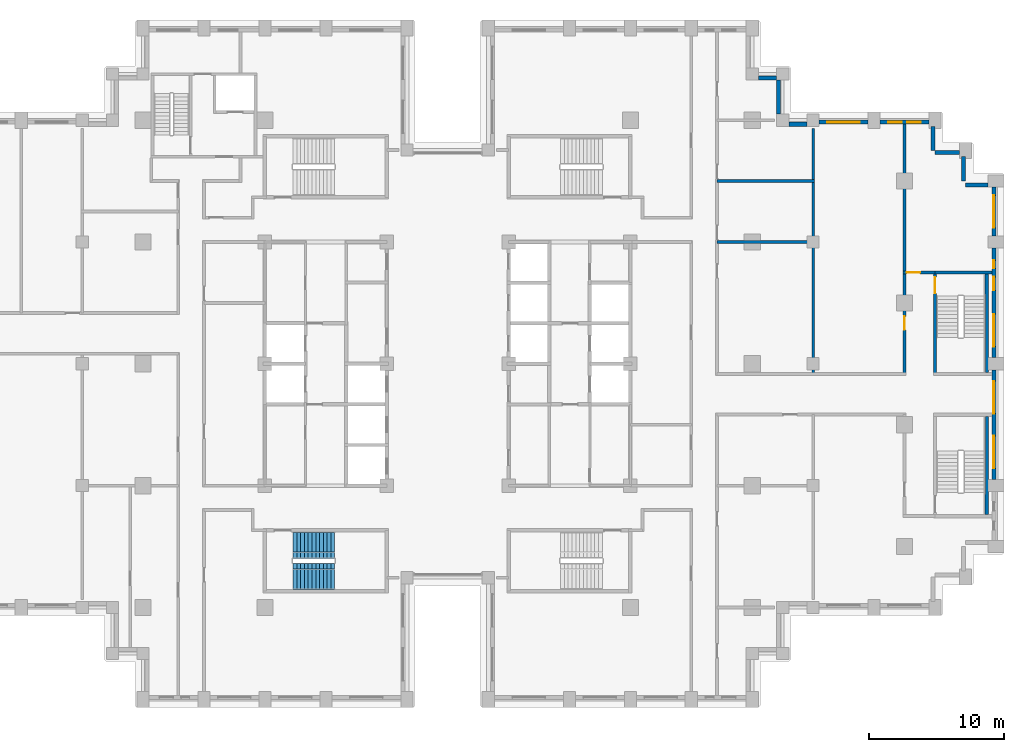
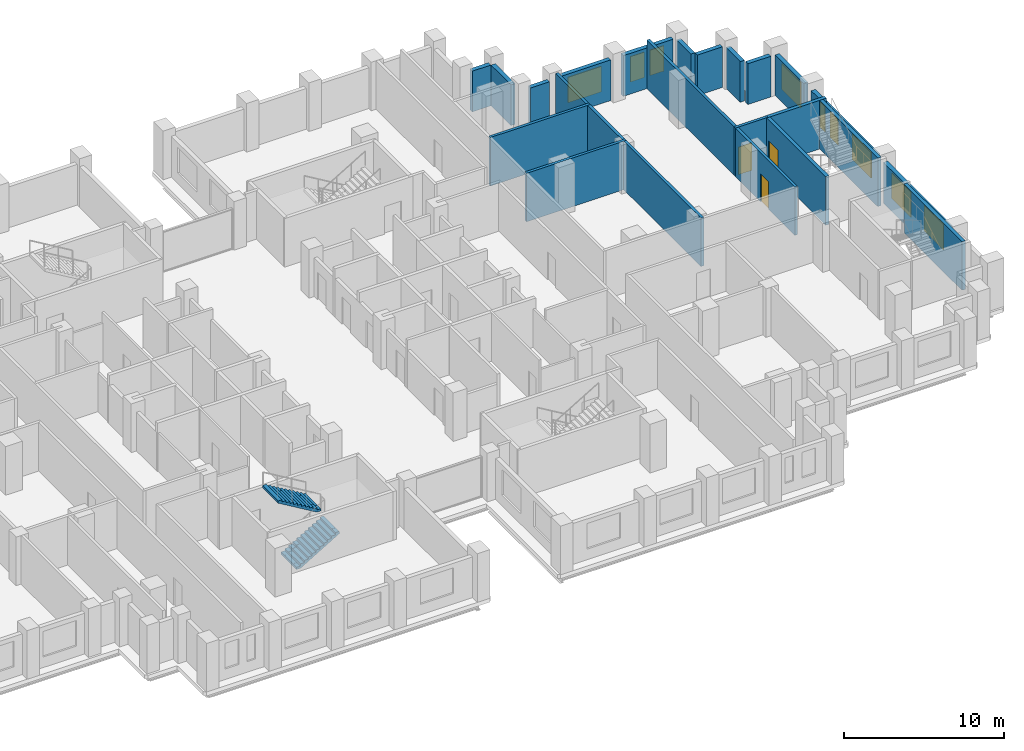
# One storey, part 12 of 15: 21 walls, 9 windows, 3 doors, 2 stair flights, 12 openings, 1 element without a shape of its own.
"""IFC4 building model written with IfcOpenShell, lengths in metres."""

from ifc_helpers import new_model, si_unit, direction, frame, frame_2d, origin, place, context, subcontext, project, spatial, polyline, rectangle, outline, extrude, material, layer, layer_set, type_object, element, fill, aggregate, save


model = new_model("IFC4")

# Units and contexts
model_context = context("Model", 3, precision=1e-05, world=origin(), true_north=direction((0.0, 1.0)))
body_context = subcontext(model_context, "Body", "Model", "MODEL_VIEW")
ifc_project = project(units=[si_unit("LENGTHUNIT", "METRE"), si_unit("AREAUNIT", "SQUARE_METRE"), si_unit("VOLUMEUNIT", "CUBIC_METRE"), si_unit("PLANEANGLEUNIT", "RADIAN"), si_unit("MASSUNIT", "GRAM", prefix="KILO")], contexts=[model_context])

# Site, building, storey
site_placement = place(None, origin())
site = spatial("IfcSite", under=ifc_project, at=site_placement, CompositionType="ELEMENT")
building_placement = place(site_placement, origin())
building = spatial("IfcBuilding", under=site, at=building_placement, Name="Corbelhall Arena Tower", CompositionType="ELEMENT")
storey_placement = place(building_placement, frame((0.0, 0.0, 92.0)))
storey = spatial("IfcBuildingStorey", under=building, at=storey_placement, Name="L15", CompositionType="ELEMENT", Elevation=92.0)

# Walls
ifc_material_1 = material(Name="Precast concrete C40/50 with granite facing", Category="masonry")
ifc_layer_1 = layer(ifc_material_1, 0.300048828125)
ifc_layer_set_1 = layer_set([ifc_layer_1], Name="EV-IW1 Infill panel 300")
wall_type_1 = type_object("IfcWallType", Name="EV-IW1 Infill panel 300", PredefinedType="SOLIDWALL", material=ifc_layer_set_1)
wall_1_placement = place(storey_placement, frame((39.89990234375, 13.199951171875, 0.0), z_axis=(0.0, 0.0, 1.0), x_axis=(-1.0, 0.0, 0.0)))
element("IfcWall", 1, at=wall_1_placement, inside=storey, type_object=wall_type_1, Name="Infill panel IW1", PredefinedType="SOLIDWALL", context=body_context, shape_type="SweptSolid", body=[
    extrude(rectangle(XDim=1.64990234375, YDim=0.300048828125, at=frame_2d((0.824951171875, 0.0))), origin(), (0.0, 0.0, 1.0), 3.10009765625),
])
for number, where, z_axis, x_axis, name in (
    (2, (38.10009765625, 15.300048828125, 0.0), (0.0, 0.0, 1.0), (0.0, -1.0, 0.0), "Infill panel IW1"),
    (3, (37.800048828125, 15.60009765625, 0.0), (0.0, 0.0, 1.0), (-1.0, 0.0, 0.0), "Infill panel IW1"),
    (4, (35.85009765625, 17.550048828125, 0.0), (0.0, 0.0, 1.0), (0.0, -1.0, 0.0), "Infill panel IW1"),
):
    element("IfcWall", number, at=place(storey_placement, frame(where, z_axis=z_axis, x_axis=x_axis)), inside=storey, type_object=wall_type_1, Name=name, PredefinedType="SOLIDWALL", context=body_context, shape_type="SweptSolid", body=[
        extrude(rectangle(XDim=1.800048828125, YDim=0.300048828125, at=frame_2d((0.89990234375, 0.0))), origin(), (0.0, 0.0, 1.0), 3.10009765625),
    ])

# Wall, openings, windows
wall_2_placement = place(storey_placement, frame((40.35009765625, -8.550048828125, 0.0), z_axis=(0.0, 0.0, 1.0), x_axis=(0.0, 1.0, 0.0)))
wall_2 = element("IfcWall", 5, at=wall_2_placement, inside=storey, type_object=wall_type_1, Name="Infill panel IW1", PredefinedType="SOLIDWALL", context=body_context, shape_type="SweptSolid", body=[
    extrude(rectangle(XDim=8.10009765625, YDim=0.300048828125, at=frame_2d((4.050048828125, 0.0))), origin(), (0.0, 0.0, 1.0), 3.10009765625),
])
opening_1_placement = place(wall_2_placement, frame((0.824951171875, 0.0, 0.800048828125)))
opening_1 = element("IfcOpeningElement", 6, at=opening_1_placement, cuts=wall_2, Name="Opening WN1", PredefinedType="OPENING", context=body_context, shape_type="SweptSolid", body=[
    extrude(rectangle(XDim=2.39990234375, YDim=1.949951171875, at=frame_2d((1.199951171875, 0.97509765625))), frame((0.0, 0.14990234375, 0.0), z_axis=(0.0, -1.0, 0.0), x_axis=(1.0, 0.0, 0.0)), (0.0, 0.0, 1.0), 0.300048828125),
])
opening_2_placement = place(wall_2_placement, frame((4.875, 0.0, 0.800048828125)))
opening_2 = element("IfcOpeningElement", 7, at=opening_2_placement, cuts=wall_2, Name="Opening WN1", PredefinedType="OPENING", context=body_context, shape_type="SweptSolid", body=[
    extrude(rectangle(XDim=2.39990234375, YDim=1.949951171875, at=frame_2d((1.199951171875, 0.97509765625))), frame((0.0, 0.14990234375, 0.0), z_axis=(0.0, -1.0, 0.0), x_axis=(1.0, 0.0, 0.0)), (0.0, 0.0, 1.0), 0.300048828125),
])
ifc_material_2 = material(Name="Aluminium black anodised", Category="aluminium")
window_type_1 = type_object("IfcWindowType", Name="EV-WN1 Office window", PartitioningType="SINGLE_PANEL", PredefinedType="WINDOW", material=ifc_material_2)
window_1_placement = place(opening_1_placement, origin())
window_1 = element("IfcWindow", 8, at=window_1_placement, inside=storey, type_object=window_type_1, Name="Window WN1", OverallHeight=1.949951171875, OverallWidth=2.39990234375, PartitioningType="SINGLE_PANEL", PredefinedType="WINDOW", context=body_context, shape_type="SweptSolid", body=[
    extrude(rectangle(XDim=2.39990234375, YDim=1.949951171875, at=frame_2d((1.199951171875, 0.97509765625))), frame((0.0, 0.030029296875, 0.0), z_axis=(0.0, -1.0, 0.0), x_axis=(1.0, 0.0, 0.0)), (0.0, 0.0, 1.0), 0.06005859375),
])
fill(opening_1, window_1)
window_2_placement = place(opening_2_placement, origin())
window_2 = element("IfcWindow", 9, at=window_2_placement, inside=storey, type_object=window_type_1, Name="Window WN1", OverallHeight=1.949951171875, OverallWidth=2.39990234375, PartitioningType="SINGLE_PANEL", PredefinedType="WINDOW", context=body_context, shape_type="SweptSolid", body=[
    extrude(rectangle(XDim=2.39990234375, YDim=1.949951171875, at=frame_2d((1.199951171875, 0.97509765625))), frame((0.0, 0.030029296875, 0.0), z_axis=(0.0, -1.0, 0.0), x_axis=(1.0, 0.0, 0.0)), (0.0, 0.0, 1.0), 0.06005859375),
])
fill(opening_2, window_2)

wall_3_placement = place(storey_placement, frame((40.35009765625, 0.449951171875, 0.0), z_axis=(0.0, 0.0, 1.0), x_axis=(0.0, 1.0, 0.0)))
wall_3 = element("IfcWall", 10, at=wall_3_placement, inside=storey, type_object=wall_type_1, Name="Infill panel IW1", PredefinedType="SOLIDWALL", context=body_context, shape_type="SweptSolid", body=[
    extrude(rectangle(XDim=8.10009765625, YDim=0.300048828125, at=frame_2d((4.050048828125, 0.0))), origin(), (0.0, 0.0, 1.0), 3.10009765625),
])
opening_3_placement = place(wall_3_placement, frame((0.824951171875, 0.0, 0.800048828125)))
opening_3 = element("IfcOpeningElement", 11, at=opening_3_placement, cuts=wall_3, Name="Opening WN1", PredefinedType="OPENING", context=body_context, shape_type="SweptSolid", body=[
    extrude(rectangle(XDim=2.39990234375, YDim=1.949951171875, at=frame_2d((1.199951171875, 0.97509765625))), frame((0.0, 0.14990234375, 0.0), z_axis=(0.0, -1.0, 0.0), x_axis=(1.0, 0.0, 0.0)), (0.0, 0.0, 1.0), 0.300048828125),
])
opening_4_placement = place(wall_3_placement, frame((4.97509765625, 0.0, 0.800048828125)))
opening_4 = element("IfcOpeningElement", 12, at=opening_4_placement, cuts=wall_3, Name="Opening WN6", PredefinedType="OPENING", context=body_context, shape_type="SweptSolid", body=[
    extrude(rectangle(XDim=1.0, YDim=1.949951171875, at=frame_2d((0.5, 0.97509765625))), frame((0.0, 0.14990234375, 0.0), z_axis=(0.0, -1.0, 0.0), x_axis=(1.0, 0.0, 0.0)), (0.0, 0.0, 1.0), 0.300048828125),
])
opening_5_placement = place(wall_3_placement, frame((6.60009765625, 0.0, 0.800048828125)))
opening_5 = element("IfcOpeningElement", 13, at=opening_5_placement, cuts=wall_3, Name="Opening WN5", PredefinedType="OPENING", context=body_context, shape_type="SweptSolid", body=[
    extrude(rectangle(XDim=0.60009765625, YDim=1.949951171875, at=frame_2d((0.300048828125, 0.97509765625))), frame((0.0, 0.14990234375, 0.0), z_axis=(0.0, -1.0, 0.0), x_axis=(1.0, 0.0, 0.0)), (0.0, 0.0, 1.0), 0.300048828125),
])
window_3_placement = place(opening_3_placement, origin())
window_3 = element("IfcWindow", 14, at=window_3_placement, inside=storey, type_object=window_type_1, Name="Window WN1", OverallHeight=1.949951171875, OverallWidth=2.39990234375, PartitioningType="SINGLE_PANEL", PredefinedType="WINDOW", context=body_context, shape_type="SweptSolid", body=[
    extrude(rectangle(XDim=2.39990234375, YDim=1.949951171875, at=frame_2d((1.199951171875, 0.97509765625))), frame((0.0, 0.030029296875, 0.0), z_axis=(0.0, -1.0, 0.0), x_axis=(1.0, 0.0, 0.0)), (0.0, 0.0, 1.0), 0.06005859375),
])
fill(opening_3, window_3)
window_type_2 = type_object("IfcWindowType", Name="EV-WN5 Office window 600", PartitioningType="SINGLE_PANEL", PredefinedType="WINDOW", material=ifc_material_2)
window_4_placement = place(opening_5_placement, origin())
window_4 = element("IfcWindow", 15, at=window_4_placement, inside=storey, type_object=window_type_2, Name="Window WN5", OverallHeight=1.949951171875, OverallWidth=0.60009765625, PartitioningType="SINGLE_PANEL", PredefinedType="WINDOW", context=body_context, shape_type="SweptSolid", body=[
    extrude(rectangle(XDim=0.60009765625, YDim=1.949951171875, at=frame_2d((0.300048828125, 0.97509765625))), frame((0.0, 0.030029296875, 0.0), z_axis=(0.0, -1.0, 0.0), x_axis=(1.0, 0.0, 0.0)), (0.0, 0.0, 1.0), 0.06005859375),
])
fill(opening_5, window_4)
window_type_3 = type_object("IfcWindowType", Name="EV-WN6 Office window 1000", PartitioningType="SINGLE_PANEL", PredefinedType="WINDOW", material=ifc_material_2)
window_5_placement = place(opening_4_placement, origin())
window_5 = element("IfcWindow", 16, at=window_5_placement, inside=storey, type_object=window_type_3, Name="Window WN6", OverallHeight=1.949951171875, OverallWidth=1.0, PartitioningType="SINGLE_PANEL", PredefinedType="WINDOW", context=body_context, shape_type="SweptSolid", body=[
    extrude(rectangle(XDim=1.0, YDim=1.949951171875, at=frame_2d((0.5, 0.97509765625))), frame((0.0, 0.030029296875, 0.0), z_axis=(0.0, -1.0, 0.0), x_axis=(1.0, 0.0, 0.0)), (0.0, 0.0, 1.0), 0.06005859375),
])
fill(opening_4, window_5)

# Wall, opening, window
wall_4_placement = place(storey_placement, frame((40.35009765625, 9.449951171875, 0.0), z_axis=(0.0, 0.0, 1.0), x_axis=(0.0, 1.0, 0.0)))
wall_4 = element("IfcWall", 17, at=wall_4_placement, inside=storey, type_object=wall_type_1, Name="Infill panel IW1", PredefinedType="SOLIDWALL", context=body_context, shape_type="SweptSolid", body=[
    extrude(rectangle(XDim=3.60009765625, YDim=0.300048828125, at=frame_2d((1.800048828125, 0.0))), origin(), (0.0, 0.0, 1.0), 3.10009765625),
])
opening_6_placement = place(wall_4_placement, frame((0.60009765625, 0.0, 0.800048828125)))
opening_6 = element("IfcOpeningElement", 18, at=opening_6_placement, cuts=wall_4, Name="Opening WN1", PredefinedType="OPENING", context=body_context, shape_type="SweptSolid", body=[
    extrude(rectangle(XDim=2.39990234375, YDim=1.949951171875, at=frame_2d((1.199951171875, 0.97509765625))), frame((0.0, 0.14990234375, 0.0), z_axis=(0.0, -1.0, 0.0), x_axis=(1.0, 0.0, 0.0)), (0.0, 0.0, 1.0), 0.300048828125),
])
window_6_placement = place(opening_6_placement, origin())
window_6 = element("IfcWindow", 19, at=window_6_placement, inside=storey, type_object=window_type_1, Name="Window WN1", OverallHeight=1.949951171875, OverallWidth=2.39990234375, PartitioningType="SINGLE_PANEL", PredefinedType="WINDOW", context=body_context, shape_type="SweptSolid", body=[
    extrude(rectangle(XDim=2.39990234375, YDim=1.949951171875, at=frame_2d((1.199951171875, 0.97509765625))), frame((0.0, 0.030029296875, 0.0), z_axis=(0.0, -1.0, 0.0), x_axis=(1.0, 0.0, 0.0)), (0.0, 0.0, 1.0), 0.06005859375),
])
fill(opening_6, window_6)

# Wall, openings, windows
wall_5_placement = place(storey_placement, frame((35.550048828125, 17.85009765625, 0.0), z_axis=(0.0, 0.0, 1.0), x_axis=(-1.0, 0.0, 0.0)))
wall_5 = element("IfcWall", 20, at=wall_5_placement, inside=storey, type_object=wall_type_1, Name="Infill panel IW1", PredefinedType="SOLIDWALL", context=body_context, shape_type="SweptSolid", body=[
    extrude(rectangle(XDim=3.60009765625, YDim=0.300048828125, at=frame_2d((1.800048828125, 0.0))), origin(), (0.0, 0.0, 1.0), 3.10009765625),
])
opening_7_placement = place(wall_5_placement, frame((0.60009765625, 0.0, 0.800048828125)))
opening_7 = element("IfcOpeningElement", 21, at=opening_7_placement, cuts=wall_5, Name="Opening WN6", PredefinedType="OPENING", context=body_context, shape_type="SweptSolid", body=[
    extrude(rectangle(XDim=1.0, YDim=1.949951171875, at=frame_2d((0.5, 0.97509765625))), frame((0.0, 0.14990234375, 0.0), z_axis=(0.0, -1.0, 0.0), x_axis=(1.0, 0.0, 0.0)), (0.0, 0.0, 1.0), 0.300048828125),
])
opening_8_placement = place(wall_5_placement, frame((2.0, 0.0, 0.800048828125)))
opening_8 = element("IfcOpeningElement", 22, at=opening_8_placement, cuts=wall_5, Name="Opening WN6", PredefinedType="OPENING", context=body_context, shape_type="SweptSolid", body=[
    extrude(rectangle(XDim=1.0, YDim=1.949951171875, at=frame_2d((0.5, 0.97509765625))), frame((0.0, 0.14990234375, 0.0), z_axis=(0.0, -1.0, 0.0), x_axis=(1.0, 0.0, 0.0)), (0.0, 0.0, 1.0), 0.300048828125),
])
window_7_placement = place(opening_7_placement, origin())
window_7 = element("IfcWindow", 23, at=window_7_placement, inside=storey, type_object=window_type_3, Name="Window WN6", OverallHeight=1.949951171875, OverallWidth=1.0, PartitioningType="SINGLE_PANEL", PredefinedType="WINDOW", context=body_context, shape_type="SweptSolid", body=[
    extrude(rectangle(XDim=1.0, YDim=1.949951171875, at=frame_2d((0.5, 0.97509765625))), frame((0.0, 0.030029296875, 0.0), z_axis=(0.0, -1.0, 0.0), x_axis=(1.0, 0.0, 0.0)), (0.0, 0.0, 1.0), 0.06005859375),
])
fill(opening_7, window_7)
window_8_placement = place(opening_8_placement, origin())
window_8 = element("IfcWindow", 24, at=window_8_placement, inside=storey, type_object=window_type_3, Name="Window WN6", OverallHeight=1.949951171875, OverallWidth=1.0, PartitioningType="SINGLE_PANEL", PredefinedType="WINDOW", context=body_context, shape_type="SweptSolid", body=[
    extrude(rectangle(XDim=1.0, YDim=1.949951171875, at=frame_2d((0.5, 0.97509765625))), frame((0.0, 0.030029296875, 0.0), z_axis=(0.0, -1.0, 0.0), x_axis=(1.0, 0.0, 0.0)), (0.0, 0.0, 1.0), 0.06005859375),
])
fill(opening_8, window_8)

# Wall, opening, window
wall_6_placement = place(storey_placement, frame((31.050048828125, 17.85009765625, 0.0), z_axis=(0.0, 0.0, 1.0), x_axis=(-1.0, 0.0, 0.0)))
wall_6 = element("IfcWall", 25, at=wall_6_placement, inside=storey, type_object=wall_type_1, Name="Infill panel IW1", PredefinedType="SOLIDWALL", context=body_context, shape_type="SweptSolid", body=[
    extrude(rectangle(XDim=3.60009765625, YDim=0.300048828125, at=frame_2d((1.800048828125, 0.0))), origin(), (0.0, 0.0, 1.0), 3.10009765625),
])
opening_9_placement = place(wall_6_placement, frame((0.60009765625, 0.0, 0.800048828125)))
opening_9 = element("IfcOpeningElement", 26, at=opening_9_placement, cuts=wall_6, Name="Opening WN1", PredefinedType="OPENING", context=body_context, shape_type="SweptSolid", body=[
    extrude(rectangle(XDim=2.39990234375, YDim=1.949951171875, at=frame_2d((1.199951171875, 0.97509765625))), frame((0.0, 0.14990234375, 0.0), z_axis=(0.0, -1.0, 0.0), x_axis=(1.0, 0.0, 0.0)), (0.0, 0.0, 1.0), 0.300048828125),
])
window_9_placement = place(opening_9_placement, origin())
window_9 = element("IfcWindow", 27, at=window_9_placement, inside=storey, type_object=window_type_1, Name="Window WN1", OverallHeight=1.949951171875, OverallWidth=2.39990234375, PartitioningType="SINGLE_PANEL", PredefinedType="WINDOW", context=body_context, shape_type="SweptSolid", body=[
    extrude(rectangle(XDim=2.39990234375, YDim=1.949951171875, at=frame_2d((1.199951171875, 0.97509765625))), frame((0.0, 0.030029296875, 0.0), z_axis=(0.0, -1.0, 0.0), x_axis=(1.0, 0.0, 0.0)), (0.0, 0.0, 1.0), 0.06005859375),
])
fill(opening_9, window_9)

# Walls
wall_7_placement = place(storey_placement, frame((26.550048828125, 17.699951171875, 0.0), z_axis=(0.0, 0.0, 1.0), x_axis=(-1.0, 0.0, 0.0)))
element("IfcWall", 28, at=wall_7_placement, inside=storey, type_object=wall_type_1, Name="Infill panel IW1", PredefinedType="SOLIDWALL", context=body_context, shape_type="SweptSolid", body=[
    extrude(rectangle(XDim=1.35009765625, YDim=0.300048828125, at=frame_2d((0.675048828125, 0.0))), origin(), (0.0, 0.0, 1.0), 3.10009765625),
])
wall_8_placement = place(storey_placement, frame((24.449951171875, 18.449951171875, 0.0), z_axis=(0.0, 0.0, 1.0), x_axis=(0.0, 1.0, 0.0)))
element("IfcWall", 29, at=wall_8_placement, inside=storey, type_object=wall_type_1, Name="Infill panel IW1", PredefinedType="SOLIDWALL", context=body_context, shape_type="SweptSolid", body=[
    extrude(rectangle(XDim=2.5, YDim=0.300048828125, at=frame_2d((1.25, 0.0))), origin(), (0.0, 0.0, 1.0), 3.10009765625),
])
wall_9_placement = place(storey_placement, frame((24.300048828125, 21.10009765625, 0.0), z_axis=(0.0, 0.0, 1.0), x_axis=(-1.0, 0.0, 0.0)))
element("IfcWall", 30, at=wall_9_placement, inside=storey, type_object=wall_type_1, Name="Infill panel IW1", PredefinedType="SOLIDWALL", context=body_context, shape_type="SweptSolid", body=[
    extrude(rectangle(XDim=1.35009765625, YDim=0.300048828125, at=frame_2d((0.675048828125, 0.0))), origin(), (0.0, 0.0, 1.0), 3.10009765625),
])
ifc_material_3 = material(Name="Gypsum board on steel stud, acoustic", Category="steel")
ifc_layer_2 = layer(ifc_material_3, 0.199951171875)
ifc_layer_set_2 = layer_set([ifc_layer_2], Name="IN-W-DM200")
wall_type_2 = type_object("IfcWallType", Name="IN-W-DM200", PredefinedType="PARTITIONING", material=ifc_layer_set_2)
for number, where, z_axis, x_axis, name in (
    (31, (19.89990234375, 9.0, 0.0), (0.0, 0.0, 1.0), (1.0, 0.0, 0.0), "Partition 052"),
    (32, (19.89990234375, 13.5, 0.0), (0.0, 0.0, 1.0), (1.0, 0.0, 0.0), "Partition 054"),
):
    element("IfcWall", number, at=place(storey_placement, frame(where, z_axis=z_axis, x_axis=x_axis)), inside=storey, type_object=wall_type_2, Name=name, PredefinedType="PARTITIONING", context=body_context, shape_type="SweptSolid", body=[
        extrude(rectangle(XDim=7.2001953125, YDim=0.199951171875, at=frame_2d((3.60009765625, 0.0))), origin(), (0.0, 0.0, 1.0), 3.699951171875),
    ])
wall_10_placement = place(storey_placement, frame((27.0, 17.39990234375, 0.0), z_axis=(0.0, 0.0, 1.0), x_axis=(0.0, -1.0, 0.0)))
element("IfcWall", 33, at=wall_10_placement, inside=storey, type_object=wall_type_2, Name="Partition 057", PredefinedType="PARTITIONING", context=body_context, shape_type="SweptSolid", body=[
    extrude(rectangle(XDim=18.14990234375, YDim=0.199951171875, at=frame_2d((9.074951171875, 0.0))), origin(), (0.0, 0.0, 1.0), 3.699951171875),
])

# Wall, opening, door
wall_11_placement = place(storey_placement, frame((33.64990234375, 6.75, 0.0), z_axis=(0.0, 0.0, 1.0), x_axis=(1.0, 0.0, 0.0)))
wall_11 = element("IfcWall", 34, at=wall_11_placement, inside=storey, type_object=wall_type_2, Name="Partition 059", PredefinedType="PARTITIONING", context=body_context, shape_type="SweptSolid", body=[
    extrude(rectangle(XDim=2.35009765625, YDim=0.199951171875, at=frame_2d((1.175048828125, 0.0))), origin(), (0.0, 0.0, 1.0), 3.699951171875),
])
opening_10_placement = place(wall_11_placement, frame((0.25, 0.0, 0.0)))
opening_10 = element("IfcOpeningElement", 35, at=opening_10_placement, cuts=wall_11, Name="Opening 03046", PredefinedType="OPENING", context=body_context, shape_type="SweptSolid", body=[
    extrude(rectangle(XDim=1.0, YDim=2.10009765625, at=frame_2d((0.5, 1.050048828125))), frame((0.0, 0.10009765625, 0.0), z_axis=(0.0, -1.0, 0.0), x_axis=(1.0, 0.0, 0.0)), (0.0, 0.0, 1.0), 0.199951171875),
])
ifc_material_4 = material(Name="Steel door set", Category="steel")
door_type_1 = type_object("IfcDoorType", Name="IN-D-SW100", OperationType="NOTDEFINED", PredefinedType="DOOR", material=ifc_material_4)
door_1_placement = place(opening_10_placement, origin())
door_1 = element("IfcDoor", 36, at=door_1_placement, inside=storey, type_object=door_type_1, Name="Door 046", OperationType="SINGLE_SWING_LEFT", OverallHeight=2.10009765625, OverallWidth=1.0, PredefinedType="DOOR", context=body_context, shape_type="SweptSolid", body=[
    extrude(rectangle(XDim=1.0, YDim=2.10009765625, at=frame_2d((0.5, 1.050048828125))), frame((0.0, 0.02490234375, 0.0), z_axis=(0.0, -1.0, 0.0), x_axis=(1.0, 0.0, 0.0)), (0.0, 0.0, 1.0), 0.050048828125),
])
fill(opening_10, door_1)

wall_12_placement = place(storey_placement, frame((33.75, -0.75, 0.0), z_axis=(0.0, 0.0, 1.0), x_axis=(0.0, 1.0, 0.0)))
wall_12 = element("IfcWall", 37, at=wall_12_placement, inside=storey, type_object=wall_type_2, Name="Partition 061", PredefinedType="PARTITIONING", context=body_context, shape_type="SweptSolid", body=[
    extrude(rectangle(XDim=18.449951171875, YDim=0.199951171875, at=frame_2d((9.22509765625, 0.0))), origin(), (0.0, 0.0, 1.0), 3.699951171875),
])
opening_11_placement = place(wall_12_placement, frame((3.25, 0.0, 0.0)))
opening_11 = element("IfcOpeningElement", 38, at=opening_11_placement, cuts=wall_12, Name="Opening 03045", PredefinedType="OPENING", context=body_context, shape_type="SweptSolid", body=[
    extrude(rectangle(XDim=1.0, YDim=2.10009765625, at=frame_2d((0.5, 1.050048828125))), frame((0.0, 0.10009765625, 0.0), z_axis=(0.0, -1.0, 0.0), x_axis=(1.0, 0.0, 0.0)), (0.0, 0.0, 1.0), 0.199951171875),
])
door_2_placement = place(opening_11_placement, origin())
door_2 = element("IfcDoor", 39, at=door_2_placement, inside=storey, type_object=door_type_1, Name="Door 045", OperationType="SINGLE_SWING_RIGHT", OverallHeight=2.10009765625, OverallWidth=1.0, PredefinedType="DOOR", context=body_context, shape_type="SweptSolid", body=[
    extrude(rectangle(XDim=1.0, YDim=2.10009765625, at=frame_2d((0.5, 1.050048828125))), frame((0.0, 0.02490234375, 0.0), z_axis=(0.0, -1.0, 0.0), x_axis=(1.0, 0.0, 0.0)), (0.0, 0.0, 1.0), 0.050048828125),
])
fill(opening_11, door_2)

ifc_material_5 = material(Name="Concrete C40/50", Category="concrete")
ifc_layer_3 = layer(ifc_material_5, 0.25)
ifc_layer_set_3 = layer_set([ifc_layer_3], Name="IN-W-ST250")
wall_type_3 = type_object("IfcWallType", Name="IN-W-ST250", PredefinedType="SOLIDWALL", material=ifc_layer_set_3)
wall_13_placement = place(storey_placement, frame((36.0, -0.75, 0.0), z_axis=(0.0, 0.0, 1.0), x_axis=(0.0, 1.0, 0.0)))
wall_13 = element("IfcWall", 40, at=wall_13_placement, inside=storey, type_object=wall_type_3, Name="Shaft wall 119", PredefinedType="SOLIDWALL", context=body_context, shape_type="SweptSolid", body=[
    extrude(rectangle(XDim=7.625, YDim=0.25, at=frame_2d((3.8125, 0.0))), origin(), (0.0, 0.0, 1.0), 3.699951171875),
])
opening_12_placement = place(wall_13_placement, frame((5.949951171875, 0.0, 0.0)))
opening_12 = element("IfcOpeningElement", 41, at=opening_12_placement, cuts=wall_13, Name="Opening 03020", PredefinedType="OPENING", context=body_context, shape_type="SweptSolid", body=[
    extrude(rectangle(XDim=1.199951171875, YDim=2.10009765625, at=frame_2d((0.60009765625, 1.050048828125))), frame((0.0, 0.125, 0.0), z_axis=(0.0, -1.0, 0.0), x_axis=(1.0, 0.0, 0.0)), (0.0, 0.0, 1.0), 0.25),
])
door_type_2 = type_object("IfcDoorType", Name="IN-D-ST120", OperationType="NOTDEFINED", PredefinedType="DOOR", material=ifc_material_4)
door_3_placement = place(opening_12_placement, origin())
door_3 = element("IfcDoor", 42, at=door_3_placement, inside=storey, type_object=door_type_2, Name="Door 020", OperationType="SINGLE_SWING_LEFT", OverallHeight=2.10009765625, OverallWidth=1.199951171875, PredefinedType="DOOR", context=body_context, shape_type="SweptSolid", body=[
    extrude(rectangle(XDim=1.199951171875, YDim=2.10009765625, at=frame_2d((0.60009765625, 1.050048828125))), frame((0.0, 0.02490234375, 0.0), z_axis=(0.0, -1.0, 0.0), x_axis=(1.0, 0.0, 0.0)), (0.0, 0.0, 1.0), 0.050048828125),
])
fill(opening_12, door_3)

# Walls
wall_14_placement = place(storey_placement, frame((36.0, 6.75, 0.0), z_axis=(0.0, 0.0, 1.0), x_axis=(1.0, 0.0, 0.0)))
element("IfcWall", 43, at=wall_14_placement, inside=storey, type_object=wall_type_3, Name="Shaft wall 120", PredefinedType="SOLIDWALL", context=body_context, shape_type="SweptSolid", body=[
    extrude(rectangle(XDim=4.199951171875, YDim=0.25, at=frame_2d((2.10009765625, 0.0))), origin(), (0.0, 0.0, 1.0), 3.699951171875),
])
for number, where, z_axis, x_axis, name in (
    (44, (39.824951171875, -11.125, 0.0), (0.0, 0.0, 1.0), (0.0, 1.0, 0.0), "Shaft wall SD1 facade side"),
    (45, (39.824951171875, -0.625, 0.0), (0.0, 0.0, 1.0), (0.0, 1.0, 0.0), "Shaft wall SD2 facade side"),
):
    element("IfcWall", number, at=place(storey_placement, frame(where, z_axis=z_axis, x_axis=x_axis)), inside=storey, type_object=wall_type_3, Name=name, PredefinedType="SOLIDWALL", context=body_context, shape_type="SweptSolid", body=[
        extrude(rectangle(XDim=7.25, YDim=0.25, at=frame_2d((3.625, 0.0))), origin(), (0.0, 0.0, 1.0), 3.699951171875),
    ])

# Stair, stair flights
stair_type = type_object("IfcStairType", Name="IN-ST-TOWER", PredefinedType="HALF_TURN_STAIR", material=ifc_material_5)
stair_placement = place(storey_placement, origin())
stair = element("IfcStair", 46, at=stair_placement, inside=storey, type_object=stair_type, Name="L15 Exit stair ST2", PredefinedType="HALF_TURN_STAIR")
stair_flight_type = type_object("IfcStairFlightType", Name="IN-SFL-RC", PredefinedType="STRAIGHT", material=ifc_material_5)
stair_flight_1_placement = place(storey_placement, frame((-11.425048828125, -15.699951171875, 0.0), z_axis=(0.0, 0.0, 1.0), x_axis=(1.0, 0.0, 0.0)))
stair_flight_1 = element("IfcStairFlight", 47, at=stair_flight_1_placement, type_object=stair_flight_type, Name="ST2 flight 1", NumberOfRisers=12, NumberOfTreads=11, PredefinedType="STRAIGHT", RiserHeight=0.166666667, TreadLength=0.28, context=body_context, shape_type="SweptSolid", body=[
    extrude(outline(polyline([(0.0, 0.0), (0.0, 0.166748046875), (0.280029296875, 0.166748046875), (0.280029296875, 0.333251953125), (0.56005859375, 0.333251953125), (0.56005859375, 0.5), (0.840087890625, 0.5), (0.840087890625, 0.666748046875), (1.1201171875, 0.666748046875), (1.1201171875, 0.833251953125), (1.39990234375, 0.833251953125), (1.39990234375, 1.0), (1.679931640625, 1.0), (1.679931640625, 1.166748046875), (1.9599609375, 1.166748046875), (1.9599609375, 1.333251953125), (2.239990234375, 1.333251953125), (2.239990234375, 1.5), (2.52001953125, 1.5), (2.52001953125, 1.666748046875), (2.800048828125, 1.666748046875), (2.800048828125, 1.833251953125), (3.080078125, 1.833251953125), (3.080078125, 2.0), (3.080078125, 1.658935546875), (0.29296875, 0.0), (0.0, 0.0)])), frame((0.0, 0.97509765625, 0.0), z_axis=(0.0, -1.0, 0.0), x_axis=(1.0, 0.0, 0.0)), (0.0, 0.0, 1.0), 0.449951171875),
    extrude(outline(polyline([(0.0, 0.0), (0.0, 0.166748046875), (0.280029296875, 0.166748046875), (0.280029296875, 0.333251953125), (0.56005859375, 0.333251953125), (0.56005859375, 0.5), (0.840087890625, 0.5), (0.840087890625, 0.666748046875), (1.1201171875, 0.666748046875), (1.1201171875, 0.833251953125), (1.39990234375, 0.833251953125), (1.39990234375, 1.0), (1.679931640625, 1.0), (1.679931640625, 1.166748046875), (1.9599609375, 1.166748046875), (1.9599609375, 1.333251953125), (2.239990234375, 1.333251953125), (2.239990234375, 1.5), (2.52001953125, 1.5), (2.52001953125, 1.666748046875), (2.800048828125, 1.666748046875), (2.800048828125, 1.833251953125), (3.080078125, 1.833251953125), (3.080078125, 2.0), (3.080078125, 1.658935546875), (0.29296875, 0.0), (0.0, 0.0)])), frame((0.0, 0.52099609375, 0.0), z_axis=(0.0, -1.0, 0.0), x_axis=(1.0, 0.0, 0.0)), (0.0, 0.0, 1.0), 1.0419921875),
    extrude(outline(polyline([(0.0, 0.0), (0.0, 0.166748046875), (0.280029296875, 0.166748046875), (0.280029296875, 0.333251953125), (0.56005859375, 0.333251953125), (0.56005859375, 0.5), (0.840087890625, 0.5), (0.840087890625, 0.666748046875), (1.1201171875, 0.666748046875), (1.1201171875, 0.833251953125), (1.39990234375, 0.833251953125), (1.39990234375, 1.0), (1.679931640625, 1.0), (1.679931640625, 1.166748046875), (1.9599609375, 1.166748046875), (1.9599609375, 1.333251953125), (2.239990234375, 1.333251953125), (2.239990234375, 1.5), (2.52001953125, 1.5), (2.52001953125, 1.666748046875), (2.800048828125, 1.666748046875), (2.800048828125, 1.833251953125), (3.080078125, 1.833251953125), (3.080078125, 2.0), (3.080078125, 1.658935546875), (0.29296875, 0.0), (0.0, 0.0)])), frame((0.0, -0.52490234375, 0.0), z_axis=(0.0, -1.0, 0.0), x_axis=(1.0, 0.0, 0.0)), (0.0, 0.0, 1.0), 0.449951171875),
])
stair_flight_2_placement = place(storey_placement, frame((-8.344970703125, -13.39990234375, 2.0), z_axis=(0.0, 0.0, 1.0), x_axis=(-1.0, 0.0, 0.0)))
stair_flight_2 = element("IfcStairFlight", 48, at=stair_flight_2_placement, type_object=stair_flight_type, Name="ST2 flight 2", NumberOfRisers=12, NumberOfTreads=11, PredefinedType="STRAIGHT", RiserHeight=0.166666667, TreadLength=0.28, context=body_context, shape_type="SweptSolid", body=[
    extrude(outline(polyline([(0.0, 0.0), (0.0, 0.166748046875), (0.280029296875, 0.166748046875), (0.280029296875, 0.333251953125), (0.56005859375, 0.333251953125), (0.56005859375, 0.5), (0.840087890625, 0.5), (0.840087890625, 0.666748046875), (1.1201171875, 0.666748046875), (1.1201171875, 0.833251953125), (1.39990234375, 0.833251953125), (1.39990234375, 1.0), (1.679931640625, 1.0), (1.679931640625, 1.166748046875), (1.9599609375, 1.166748046875), (1.9599609375, 1.333251953125), (2.239990234375, 1.333251953125), (2.239990234375, 1.5), (2.52001953125, 1.5), (2.52001953125, 1.666748046875), (2.800048828125, 1.666748046875), (2.800048828125, 1.833251953125), (3.080078125, 1.833251953125), (3.080078125, 2.0), (3.080078125, 1.658935546875), (0.29296875, 0.0), (0.0, 0.0)])), frame((0.0, 0.97509765625, 0.0), z_axis=(0.0, -1.0, 0.0), x_axis=(1.0, 0.0, 0.0)), (0.0, 0.0, 1.0), 0.449951171875),
    extrude(outline(polyline([(0.0, 0.0), (0.0, 0.166748046875), (0.280029296875, 0.166748046875), (0.280029296875, 0.333251953125), (0.56005859375, 0.333251953125), (0.56005859375, 0.5), (0.840087890625, 0.5), (0.840087890625, 0.666748046875), (1.1201171875, 0.666748046875), (1.1201171875, 0.833251953125), (1.39990234375, 0.833251953125), (1.39990234375, 1.0), (1.679931640625, 1.0), (1.679931640625, 1.166748046875), (1.9599609375, 1.166748046875), (1.9599609375, 1.333251953125), (2.239990234375, 1.333251953125), (2.239990234375, 1.5), (2.52001953125, 1.5), (2.52001953125, 1.666748046875), (2.800048828125, 1.666748046875), (2.800048828125, 1.833251953125), (3.080078125, 1.833251953125), (3.080078125, 2.0), (3.080078125, 1.658935546875), (0.29296875, 0.0), (0.0, 0.0)])), frame((0.0, 0.52099609375, 0.0), z_axis=(0.0, -1.0, 0.0), x_axis=(1.0, 0.0, 0.0)), (0.0, 0.0, 1.0), 1.0419921875),
    extrude(outline(polyline([(0.0, 0.0), (0.0, 0.166748046875), (0.280029296875, 0.166748046875), (0.280029296875, 0.333251953125), (0.56005859375, 0.333251953125), (0.56005859375, 0.5), (0.840087890625, 0.5), (0.840087890625, 0.666748046875), (1.1201171875, 0.666748046875), (1.1201171875, 0.833251953125), (1.39990234375, 0.833251953125), (1.39990234375, 1.0), (1.679931640625, 1.0), (1.679931640625, 1.166748046875), (1.9599609375, 1.166748046875), (1.9599609375, 1.333251953125), (2.239990234375, 1.333251953125), (2.239990234375, 1.5), (2.52001953125, 1.5), (2.52001953125, 1.666748046875), (2.800048828125, 1.666748046875), (2.800048828125, 1.833251953125), (3.080078125, 1.833251953125), (3.080078125, 2.0), (3.080078125, 1.658935546875), (0.29296875, 0.0), (0.0, 0.0)])), frame((0.0, -0.52490234375, 0.0), z_axis=(0.0, -1.0, 0.0), x_axis=(1.0, 0.0, 0.0)), (0.0, 0.0, 1.0), 0.449951171875),
])
aggregate(stair, [stair_flight_1, stair_flight_2])

save(model, "model.ifc")
